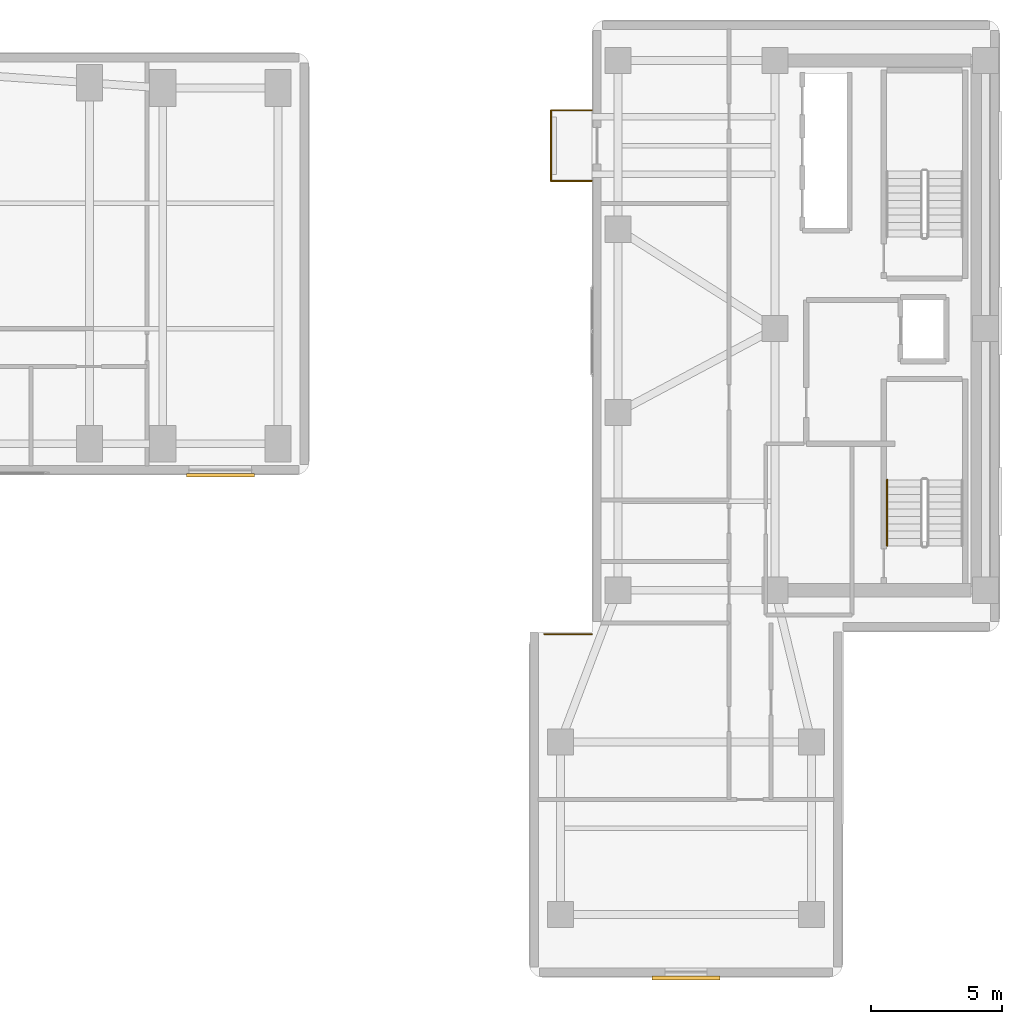
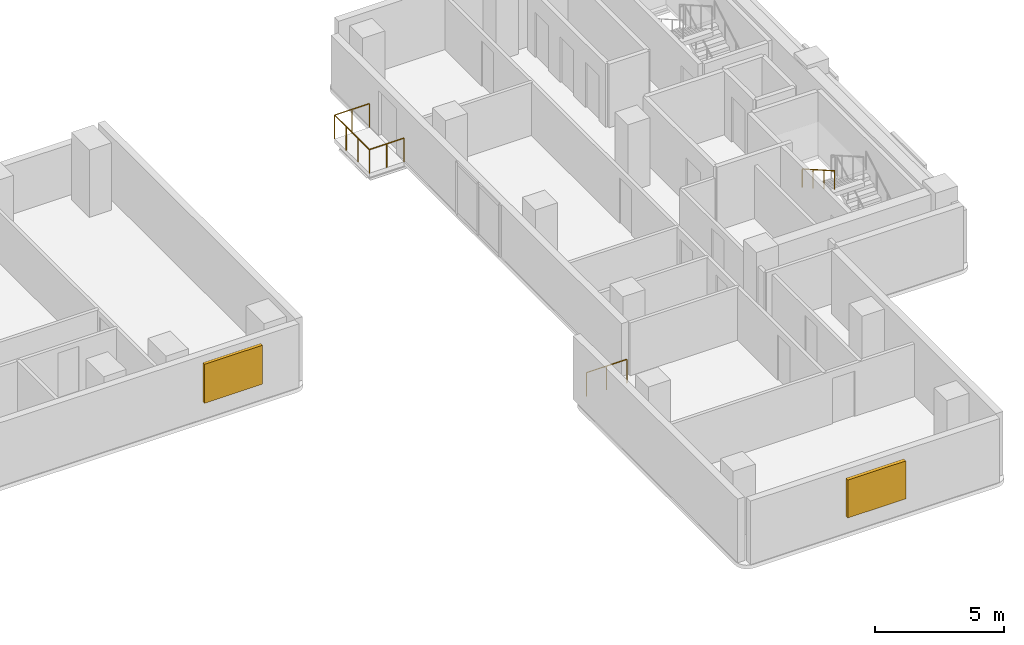
# One storey, part 16 of 17: 5 railings, 2 shading devices.
"""IFC4 building model written with IfcOpenShell, lengths in metres."""

from ifc_helpers import new_model, si_unit, direction, frame, origin, origin_2d, place, context, subcontext, project, spatial, rectangle, circle, extrude, material, layer, layer_set, type_object, element, save


model = new_model("IFC4")

# Units and contexts
model_context = context("Model", 3, precision=1e-05, world=origin(), true_north=direction((0.0, 1.0)))
body_context = subcontext(model_context, "Body", "Model", "MODEL_VIEW")
ifc_project = project(units=[si_unit("LENGTHUNIT", "METRE"), si_unit("AREAUNIT", "SQUARE_METRE"), si_unit("VOLUMEUNIT", "CUBIC_METRE"), si_unit("PLANEANGLEUNIT", "RADIAN"), si_unit("MASSUNIT", "GRAM", prefix="KILO")], contexts=[model_context])

# Site, building, storey
site_placement = place(None, origin())
site = spatial("IfcSite", under=ifc_project, at=site_placement, CompositionType="ELEMENT")
building_placement = place(site_placement, origin())
building = spatial("IfcBuilding", under=site, at=building_placement, Name="Kuzgunbayir Cultural Tower", CompositionType="ELEMENT")
storey_placement = place(building_placement, frame((0.0, 0.0, 50.0)))
storey = spatial("IfcBuildingStorey", under=building, at=storey_placement, Name="L13", CompositionType="ELEMENT", Elevation=50.0)

# Railings
ifc_material_1 = material(Name="Laminated Glass and Stainless Steel", Category="steel")
ifc_layer_1 = layer(ifc_material_1, 0.080078125)
ifc_layer_set_1 = layer_set([ifc_layer_1], Name="Laminated Glass and Stainless Steel")
railing_type_1 = type_object("IfcRailingType", Name="RLG-BAL-115", PredefinedType="BALUSTRADE", material=ifc_layer_set_1)
railing_1_placement = place(storey_placement, frame((57.60009765625, 37.64990234375, 0.0)))
element("IfcRailing", 1, at=railing_1_placement, inside=storey, type_object=railing_type_1, Name="L13 Companion Balcony Guard BAL-L13-T2W3 Segment 1", PredefinedType="BALUSTRADE", context=body_context, shape_type="SweptSolid", body=[
    extrude(circle(Radius=0.02392578125, at=origin_2d()), frame((0.0, 0.0, 1.1259765625), z_axis=(-1.0, 0.0, 0.0), x_axis=(0.0, -1.0, 0.0)), (0.0, 0.0, 1.0), 1.56005859375),
    extrude(circle(Radius=0.02099609375, at=origin_2d()), origin(), (0.0, 0.0, 1.0), 1.101806640625),
    extrude(circle(Radius=0.02099609375, at=origin_2d()), frame((-0.780029296875, 0.0, 0.0)), (0.0, 0.0, 1.0), 1.101806640625),
    extrude(circle(Radius=0.02099609375, at=origin_2d()), frame((-1.56005859375, 0.0, 0.0)), (0.0, 0.0, 1.0), 1.101806640625),
])
railing_2_placement = place(storey_placement, frame((56.0400390625, 37.64990234375, 0.0)))
element("IfcRailing", 2, at=railing_2_placement, inside=storey, type_object=railing_type_1, Name="L13 Companion Balcony Guard BAL-L13-T2W3 Segment 2", PredefinedType="BALUSTRADE", context=body_context, shape_type="SweptSolid", body=[
    extrude(circle(Radius=0.02392578125, at=origin_2d()), frame((0.0, 0.0, 1.1259765625), z_axis=(0.0, 1.0, 0.0), x_axis=(-1.0, 0.0, 0.0)), (0.0, 0.0, 1.0), 2.7001953125),
    extrude(circle(Radius=0.02099609375, at=origin_2d()), origin(), (0.0, 0.0, 1.0), 1.101806640625),
    extrude(circle(Radius=0.02099609375, at=origin_2d()), frame((0.0, 0.900146484375, 0.0)), (0.0, 0.0, 1.0), 1.101806640625),
    extrude(circle(Radius=0.02099609375, at=origin_2d()), frame((0.0, 1.800048828125, 0.0)), (0.0, 0.0, 1.0), 1.101806640625),
    extrude(circle(Radius=0.02099609375, at=origin_2d()), frame((0.0, 2.7001953125, 0.0)), (0.0, 0.0, 1.0), 1.101806640625),
])
railing_3_placement = place(storey_placement, frame((56.0400390625, 40.35009765625, 0.0)))
element("IfcRailing", 3, at=railing_3_placement, inside=storey, type_object=railing_type_1, Name="L13 Companion Balcony Guard BAL-L13-T2W3 Segment 3", PredefinedType="BALUSTRADE", context=body_context, shape_type="SweptSolid", body=[
    extrude(circle(Radius=0.02392578125, at=origin_2d()), frame((0.0, 0.0, 1.1259765625), z_axis=(1.0, 0.0, 0.0), x_axis=(0.0, 1.0, 0.0)), (0.0, 0.0, 1.0), 1.56005859375),
    extrude(circle(Radius=0.02099609375, at=origin_2d()), origin(), (0.0, 0.0, 1.0), 1.101806640625),
    extrude(circle(Radius=0.02099609375, at=origin_2d()), frame((0.780029296875, 0.0, 0.0)), (0.0, 0.0, 1.0), 1.101806640625),
    extrude(circle(Radius=0.02099609375, at=origin_2d()), frame((1.56005859375, 0.0, 0.0)), (0.0, 0.0, 1.0), 1.101806640625),
])
railing_4_placement = place(storey_placement, frame((55.7900390625, 20.320068359375, 0.0)))
element("IfcRailing", 4, at=railing_4_placement, inside=storey, type_object=railing_type_1, Name="L13 Perimeter Edge Guard 1", PredefinedType="BALUSTRADE", context=body_context, shape_type="SweptSolid", body=[
    extrude(circle(Radius=0.02392578125, at=origin_2d()), frame((0.0, 0.0, 1.1259765625), z_axis=(1.0, 0.0, 0.0), x_axis=(0.0, 1.0, 0.0)), (0.0, 0.0, 1.0), 1.81005859375),
    extrude(circle(Radius=0.02099609375, at=origin_2d()), origin(), (0.0, 0.0, 1.0), 1.101806640625),
    extrude(circle(Radius=0.02099609375, at=origin_2d()), frame((0.905029296875, 0.0, 0.0)), (0.0, 0.0, 1.0), 1.101806640625),
    extrude(circle(Radius=0.02099609375, at=origin_2d()), frame((1.81005859375, 0.0, 0.0)), (0.0, 0.0, 1.0), 1.101806640625),
])
ifc_material_2 = material(Name="Brushed Stainless Steel", Category="steel")
ifc_layer_2 = layer(ifc_material_2, 0.050048828125)
ifc_layer_set_2 = layer_set([ifc_layer_2], Name="Brushed Stainless Steel")
railing_type_2 = type_object("IfcRailingType", Name="RLG-STAIR-HANDRAIL", PredefinedType="HANDRAIL", material=ifc_layer_set_2)
railing_5_placement = place(storey_placement, frame((68.889892578125, 26.219970703125, 1.760009765625)))
element("IfcRailing", 5, at=railing_5_placement, inside=storey, type_object=railing_type_2, Name="L13 ST-3 stair handrail 2", PredefinedType="HANDRAIL", context=body_context, shape_type="SweptSolid", body=[
    extrude(circle(Radius=0.02392578125, at=origin_2d()), frame((0.0, 0.0, 0.8759765625), z_axis=(0.0, -0.868253494771, 0.496120820787), x_axis=(1.0, 0.0, 0.0)), (0.0, 0.0, 1.0), 2.90234375),
    extrude(circle(Radius=0.02099609375, at=origin_2d()), origin(), (0.0, 0.0, 1.0), 0.851806640625),
    extrude(circle(Radius=0.02099609375, at=origin_2d()), frame((0.0, -0.840087890625, 0.47998046875)), (0.0, 0.0, 1.0), 0.851806640625),
    extrude(circle(Radius=0.02099609375, at=origin_2d()), frame((0.0, -1.679931640625, 0.9599609375)), (0.0, 0.0, 1.0), 0.851806640625),
    extrude(circle(Radius=0.02099609375, at=origin_2d()), frame((0.0, -2.52001953125, 1.43994140625)), (0.0, 0.0, 1.0), 0.851806640625),
])

# Shading devices
ifc_material_3 = material(Name="Perforated Bronze-Anodised Aluminium", Category="aluminium")
shading_device_type_1 = type_object("IfcShadingDeviceType", Name="SHD-SOLAR-BRONZE", PredefinedType="JALOUSIE", material=ifc_material_3)
shading_device_1_placement = place(storey_placement, frame((43.39990234375, 26.389892578125, 0.824951171875), z_axis=(0.0, 0.0, 1.0), x_axis=(1.0, 0.0, 0.0)))
element("IfcShadingDevice", 6, at=shading_device_1_placement, inside=storey, type_object=shading_device_type_1, Name="L13 Solar Screen WBS10", PredefinedType="JALOUSIE", context=body_context, shape_type="SweptSolid", body=[
    extrude(rectangle(XDim=2.60009765625, YDim=0.139892578125, at=origin_2d()), origin(), (0.0, 0.0, 1.0), 1.85009765625),
])
ifc_material_4 = material(Name="Warm Terracotta Ceramic Baguette", Category="masonry")
shading_device_type_2 = type_object("IfcShadingDeviceType", Name="SHD-SOLAR-CERAMIC", PredefinedType="SHUTTER", material=ifc_material_4)
shading_device_2_placement = place(storey_placement, frame((61.199951171875, 7.179931640625, 0.7998046875), z_axis=(0.0, 0.0, 1.0), x_axis=(1.0, 0.0, 0.0)))
element("IfcShadingDevice", 7, at=shading_device_2_placement, inside=storey, type_object=shading_device_type_2, Name="L13 Companion Ceramic Solar Screen S1", PredefinedType="SHUTTER", context=body_context, shape_type="SweptSolid", body=[
    extrude(rectangle(XDim=2.60009765625, YDim=0.159912109375, at=origin_2d()), origin(), (0.0, 0.0, 1.0), 1.800048828125),
])

save(model, "model.ifc")
